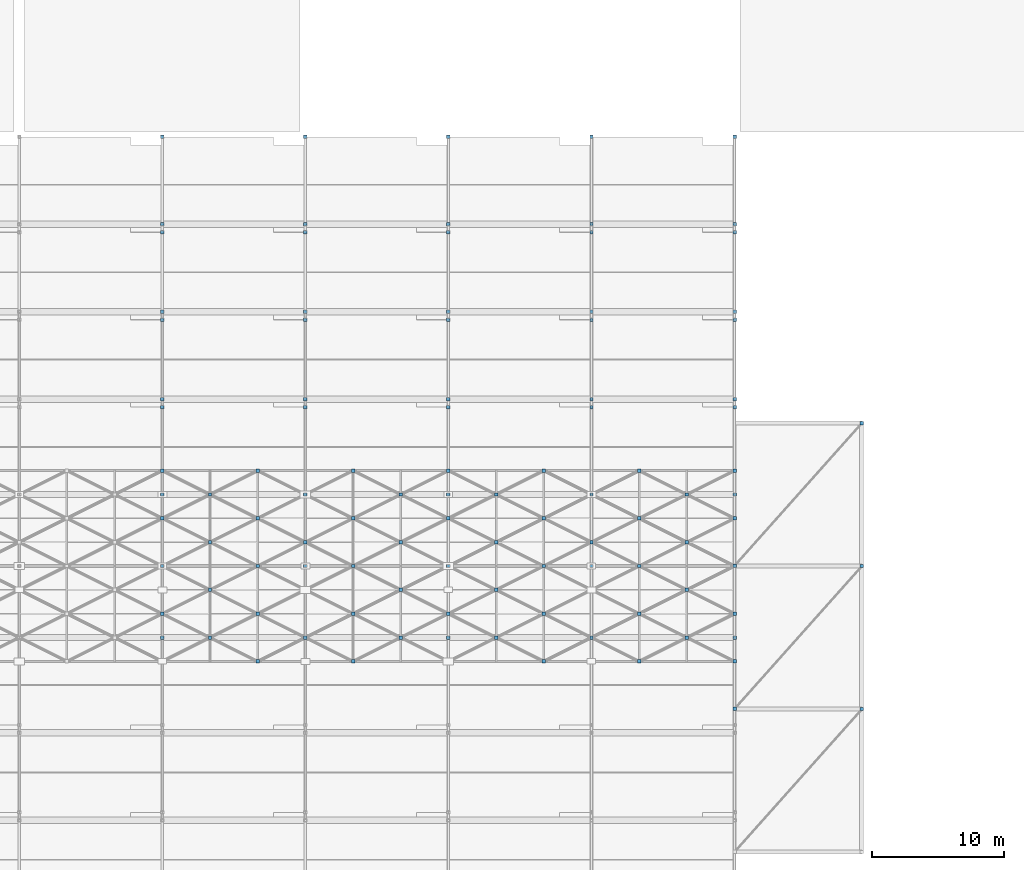
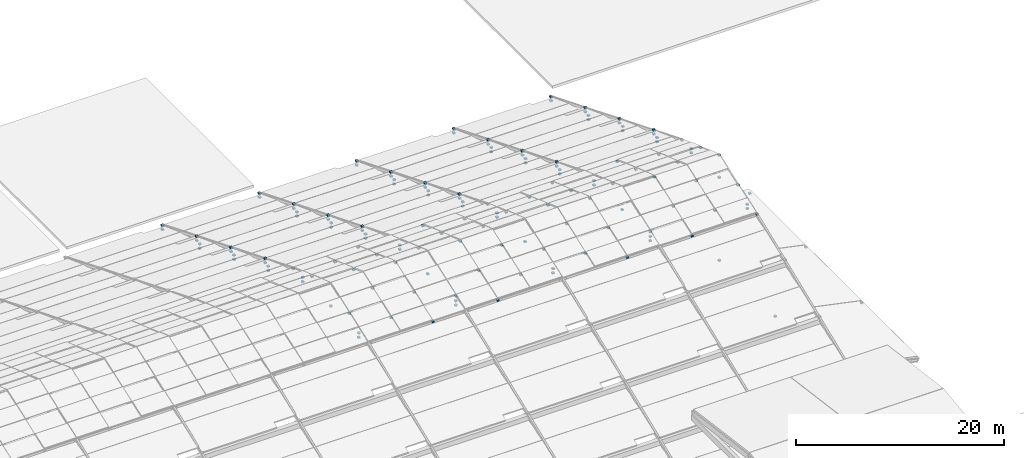
# One storey, part 111 of 112: 151 discrete accessories.
"""IFC4 building model written with IfcOpenShell, lengths in metres."""

import ifcopenshell
import ifcopenshell.guid

model = None  # the IFC model being written
_history = None  # IfcOwnerHistory: only IFC2X3 demands one
_inside = {}  # id of a spatial element -> (the spatial element, [elements in it])
_under = {}  # id of a project, library or spatial element -> (it, [spatial elements below it])
_declared = {}  # id of a project -> (the project, [libraries it declares])
_typed = {}  # id of a type object -> (the type object, [elements of that type])
_made_of = {}  # id of a material, layer set ... -> (it, [elements and type objects made of it])


def new_model(schema):
    """Start an empty IFC model of exactly this schema.

    Asked for "IFC4X3", IfcOpenShell would pick the latest addendum, in which some entities
    have other attributes; the version numbers below select the first issue.
    IFC2X3 requires an IfcOwnerHistory on every rooted entity: one is made here for all.
    """
    global model, _history
    if schema == "IFC4X3":
        model = ifcopenshell.file(schema_version=(4, 3, 0, 0))
    else:
        model = ifcopenshell.file(schema=schema)
    _inside.clear()
    _under.clear()
    _declared.clear()
    _typed.clear()
    _made_of.clear()
    _history = None
    if model.schema == "IFC2X3":
        org = make("IfcOrganization", Name="unknown")
        user = make(
            "IfcPersonAndOrganization",
            ThePerson=make("IfcPerson", FamilyName="unknown"),
            TheOrganization=org,
        )
        app = make(
            "IfcApplication",
            ApplicationDeveloper=org,
            Version="unknown",
            ApplicationFullName="unknown",
            ApplicationIdentifier="unknown",
        )
        _history = make(
            "IfcOwnerHistory",
            OwningUser=user,
            OwningApplication=app,
            ChangeAction="ADDED",
            CreationDate=0,
        )
    return model


def make(cls, **values):
    """One entity of the class cls with the attributes given. An attribute that is None is left unset."""
    return model.create_entity(
        cls, **{name: value for name, value in values.items() if value is not None}
    )


def rooted(cls, **values):
    """An entity with a GlobalId (a new one), such as an element, a storey or a relation."""
    return make(cls, GlobalId=ifcopenshell.guid.new(), OwnerHistory=_history, **values)


def si_unit(unit_type, name, prefix=None):
    """IfcSIUnit, for example si_unit("LENGTHUNIT", "METRE", prefix="MILLI")."""
    return make("IfcSIUnit", UnitType=unit_type, Prefix=prefix, Name=name)


def assignment(units):
    """IfcUnitAssignment: the units of a project."""
    return None if units is None else make("IfcUnitAssignment", Units=units)


def point(xyz):
    """IfcCartesianPoint."""
    return None if xyz is None else make("IfcCartesianPoint", Coordinates=xyz)


def direction(xyz):
    """IfcDirection."""
    return None if xyz is None else make("IfcDirection", DirectionRatios=xyz)


def frame(location, z_axis=None, x_axis=None):
    """IfcAxis2Placement3D, a coordinate frame: its origin and axes. An axis left out is left unset."""
    return make(
        "IfcAxis2Placement3D",
        Location=point(location),
        Axis=direction(z_axis),
        RefDirection=direction(x_axis),
    )


def frame_2d(location, x_axis=None):
    """IfcAxis2Placement2D, a coordinate frame in the plane: its origin and x axis."""
    return make(
        "IfcAxis2Placement2D", Location=point(location), RefDirection=direction(x_axis)
    )


def origin():
    """The frame at (0, 0, 0) with its axes left unset."""
    return frame((0.0, 0.0, 0.0))


def origin_2d():
    """The frame at (0, 0) in the plane with its x axis left unset."""
    return frame_2d((0.0, 0.0))


def place(relative_to, where):
    """IfcLocalPlacement: puts the frame where relative to a parent placement (None: the world)."""
    return make(
        "IfcLocalPlacement", PlacementRelTo=relative_to, RelativePlacement=where
    )


def context(
    kind, dimensions, precision=None, world=None, true_north=None, identifier=None
):
    """IfcGeometricRepresentationContext, for example the 3D "Model" context."""
    return make(
        "IfcGeometricRepresentationContext",
        ContextIdentifier=identifier,
        ContextType=kind,
        CoordinateSpaceDimension=dimensions,
        Precision=precision,
        WorldCoordinateSystem=world,
        TrueNorth=true_north,
    )


def subcontext(parent, identifier, kind, view, scale=None):
    """IfcGeometricRepresentationSubContext, for example "Body" below "Model"."""
    return make(
        "IfcGeometricRepresentationSubContext",
        ContextIdentifier=identifier,
        ContextType=kind,
        ParentContext=parent,
        TargetScale=scale,
        TargetView=view,
    )


def project(units=None, contexts=None):
    """IfcProject with its units and contexts."""
    return rooted(
        "IfcProject",
        Name="project",
        RepresentationContexts=contexts,
        UnitsInContext=assignment(units),
    )


def spatial(cls, under=None, at=None, **own):
    """A site, building, storey or space (cls), placed at a placement, below another one or the project."""
    s = rooted(cls, ObjectPlacement=at, **own)
    if under is not None:
        _under.setdefault(under.id(), (under, []))[1].append(s)
    return s


def profile(cls, at=None, kind="AREA", **sizes):
    """A parametric profile (cls). Its sizes go by their IFC names, for example OverallWidth=200.0."""
    return make(cls, ProfileType=kind, Position=at, **sizes)


def rectangle(**sizes):
    """IfcRectangleProfileDef."""
    return profile("IfcRectangleProfileDef", **sizes)


def extrude(swept, where, along, depth):
    """IfcExtrudedAreaSolid: the profile swept, set in the frame where, extruded along a direction by depth."""
    return make(
        "IfcExtrudedAreaSolid",
        SweptArea=swept,
        Position=where,
        ExtrudedDirection=direction(along),
        Depth=depth,
    )


def shape(context_of_items, identifier, shape_type, items):
    """IfcShapeRepresentation: the items that make up one representation, for example the "Body"."""
    return make(
        "IfcShapeRepresentation",
        ContextOfItems=context_of_items,
        RepresentationIdentifier=identifier,
        RepresentationType=shape_type,
        Items=items,
    )


def material(Name=None, Category=None):
    """IfcMaterial."""
    return make("IfcMaterial", Name=Name, Category=Category)


def made_of(thing, what):
    """Note that an element or type object is made of a material, layer set ...; save() writes the relation."""
    if what is not None:
        _made_of.setdefault(what.id(), (what, []))[1].append(thing)
    return thing


def type_object(cls, material=None, **own):
    """A type object (cls), such as IfcWallType, which elements share."""
    return made_of(rooted(cls, **own), material)


def element(
    cls,
    number,
    at=None,
    inside=None,
    cuts=None,
    type_object=None,
    material=None,
    context=None,
    identifier="Body",
    shape_type=None,
    held_by="IfcProductDefinitionShape",
    body=None,
    shapes=None,
    **own,
):
    """One element of the class cls, such as IfcWall. Its Tag is "e" and its number.

    at: its placement. inside: the storey or other place that contains it. cuts: it is an
    opening in that element (IfcRelVoidsElement). A single representation is given by context,
    identifier, shape_type and body (its items); several are given by shapes. held_by: the class
    of the entity that holds the representations. save() writes the other relations.
    """
    e = rooted(cls, Tag="e%d" % number, ObjectPlacement=at, **own)
    if body is not None:
        shapes = [shape(context, identifier, shape_type, body)]
    if shapes is not None:
        e.Representation = make(held_by, Representations=shapes)
    if inside is not None:
        _inside.setdefault(inside.id(), (inside, []))[1].append(e)
    if cuts is not None:
        rooted(
            "IfcRelVoidsElement", RelatingBuildingElement=cuts, RelatedOpeningElement=e
        )
    if type_object is not None:
        _typed.setdefault(type_object.id(), (type_object, []))[1].append(e)
    return made_of(e, material)


def aggregate(whole, parts):
    """IfcRelAggregates: a whole, such as a stair, and the parts it consists of."""
    return rooted("IfcRelAggregates", RelatingObject=whole, RelatedObjects=parts)


def save(model, path):
    """Write the relations noted so far, then the file.

    IfcRelAggregates (storeys below a building ...), IfcRelContainedInSpatialStructure (elements
    in a storey), IfcRelDefinesByType, IfcRelAssociatesMaterial and IfcRelDeclares: one each for
    every whole, place, type object, material and project.
    """
    for whole, parts in _under.values():
        aggregate(whole, parts)
    for where, things in _inside.values():
        rooted(
            "IfcRelContainedInSpatialStructure",
            RelatedElements=things,
            RelatingStructure=where,
        )
    for kind, things in _typed.values():
        rooted("IfcRelDefinesByType", RelatedObjects=things, RelatingType=kind)
    for what, things in _made_of.values():
        rooted("IfcRelAssociatesMaterial", RelatedObjects=things, RelatingMaterial=what)
    for by, libraries in _declared.values():
        rooted("IfcRelDeclares", RelatingContext=by, RelatedDefinitions=libraries)
    model.write(path)


model = new_model("IFC4")

# Units and contexts
model_context = context("Model", 3, precision=1e-05, world=origin(), true_north=direction((0.0, 1.0)))
body_context = subcontext(model_context, "Body", "Model", "MODEL_VIEW")
ifc_project = project(units=[si_unit("LENGTHUNIT", "METRE"), si_unit("AREAUNIT", "SQUARE_METRE"), si_unit("VOLUMEUNIT", "CUBIC_METRE"), si_unit("PLANEANGLEUNIT", "RADIAN"), si_unit("MASSUNIT", "GRAM", prefix="KILO")], contexts=[model_context])

# Site, building, storey
site_placement = place(None, origin())
site = spatial("IfcSite", under=ifc_project, at=site_placement, CompositionType="ELEMENT")
building_placement = place(site_placement, origin())
building = spatial("IfcBuilding", under=site, at=building_placement, Name="Zwinboog Wholesale Market", CompositionType="ELEMENT")
storey_placement = place(building_placement, frame((0.0, 0.0, 19.080078125)))
storey = spatial("IfcBuildingStorey", under=building, at=storey_placement, Name="Roof", CompositionType="ELEMENT", Elevation=19.080078125)

# Discrete accessories
ifc_material = material(Name="Steel S355", Category="steel")
discrete_accessory_type = type_object("IfcDiscreteAccessoryType", Name="ACC-BRK-S355", PredefinedType="BRACKET", material=ifc_material)
for number, where, z_axis, x_axis, name in (
    (1, (182.39990234375, 64.800048828125, -11.02001953125), (0.0, 0.0, 1.0), (1.0, 0.0, 0.0), "BK-01 (ACC-BRK-002)"),
    (2, (182.39990234375, 75.60009765625, -11.02001953125), (0.0, 0.0, 1.0), (1.0, 0.0, 0.0), "BK-01 (ACC-BRK-003)"),
):
    element("IfcDiscreteAccessory", number, at=place(storey_placement, frame(where, z_axis=z_axis, x_axis=x_axis)), inside=storey, type_object=discrete_accessory_type, Name=name, PredefinedType="BRACKET", context=body_context, shape_type="SweptSolid", body=[
        extrude(rectangle(XDim=0.239990234375, YDim=0.239990234375, at=origin_2d()), origin(), (0.0, 0.0, 1.0), 0.179931640625),
    ])
for number, where, z_axis, x_axis, name in (
    (3, (129.60009765625, 70.199951171875, 0.14013671875), (0.0, 0.0, 1.0), (1.0, 0.0, 0.0), "BK-01 (ACC-BRC-0213)"),
    (4, (129.60009765625, 70.199951171875, 0.64013671875), (0.0, 0.0, 1.0), (1.0, 0.0, 0.0), "BK-01 (ACC-BRC-0214)"),
    (5, (129.60009765625, 108.0, -10.10986328125), (0.0, 0.0, 1.0), (1.0, 0.0, 0.0), "BK-01 (ACC-BRC-0215)"),
    (6, (129.60009765625, 108.0, -9.60986328125), (0.0, 0.0, 1.0), (1.0, 0.0, 0.0), "BK-01 (ACC-BRC-0216)"),
    (7, (129.60009765625, 100.800048828125, -7.9599609375), (0.0, 0.0, 1.0), (1.0, 0.0, 0.0), "BK-01 (ACC-BRC-0217)"),
    (8, (129.60009765625, 100.800048828125, -7.4599609375), (0.0, 0.0, 1.0), (1.0, 0.0, 0.0), "BK-01 (ACC-BRC-0218)"),
    (9, (129.60009765625, 101.39990234375, -7.41015625), (0.0, 0.0, 1.0), (1.0, 0.0, 0.0), "BK-01 (ACC-BRC-0219)"),
    (10, (129.60009765625, 101.39990234375, -6.91015625), (0.0, 0.0, 1.0), (1.0, 0.0, 0.0), "BK-01 (ACC-BRC-0220)"),
    (11, (129.60009765625, 94.199951171875, -5.26025390625), (0.0, 0.0, 1.0), (1.0, 0.0, 0.0), "BK-01 (ACC-BRC-0221)"),
    (12, (129.60009765625, 94.199951171875, -4.76025390625), (0.0, 0.0, 1.0), (1.0, 0.0, 0.0), "BK-01 (ACC-BRC-0222)"),
    (13, (129.60009765625, 94.800048828125, -4.7099609375), (0.0, 0.0, 1.0), (1.0, 0.0, 0.0), "BK-01 (ACC-BRC-0223)"),
    (14, (129.60009765625, 94.800048828125, -4.2099609375), (0.0, 0.0, 1.0), (1.0, 0.0, 0.0), "BK-01 (ACC-BRC-0224)"),
    (15, (129.60009765625, 87.60009765625, -2.56005859375), (0.0, 0.0, 1.0), (1.0, 0.0, 0.0), "BK-01 (ACC-BRC-0225)"),
    (16, (129.60009765625, 87.60009765625, -2.06005859375), (0.0, 0.0, 1.0), (1.0, 0.0, 0.0), "BK-01 (ACC-BRC-0226)"),
    (17, (129.60009765625, 88.199951171875, -2.01025390625), (0.0, 0.0, 1.0), (1.0, 0.0, 0.0), "BK-01 (ACC-BRC-0227)"),
    (18, (129.60009765625, 88.199951171875, -1.51025390625), (0.0, 0.0, 1.0), (1.0, 0.0, 0.0), "BK-01 (ACC-BRC-0228)"),
    (19, (129.60009765625, 81.0, 0.14013671875), (0.0, 0.0, 1.0), (1.0, 0.0, 0.0), "BK-01 (ACC-BRC-0229)"),
    (20, (129.60009765625, 81.0, 0.64013671875), (0.0, 0.0, 1.0), (1.0, 0.0, 0.0), "BK-01 (ACC-BRC-0230)"),
    (21, (129.60009765625, 75.60009765625, 0.5400390625), (0.0, 0.0, 1.0), (1.0, 0.0, 0.0), "BK-01 (ACC-BRC-0231)"),
    (22, (140.39990234375, 70.199951171875, 0.14013671875), (0.0, 0.0, 1.0), (1.0, 0.0, 0.0), "BK-01 (ACC-BRC-0246)"),
    (23, (140.39990234375, 70.199951171875, 0.64013671875), (0.0, 0.0, 1.0), (1.0, 0.0, 0.0), "BK-01 (ACC-BRC-0247)"),
    (24, (140.39990234375, 108.0, -10.10986328125), (0.0, 0.0, 1.0), (1.0, 0.0, 0.0), "BK-01 (ACC-BRC-0248)"),
    (25, (140.39990234375, 108.0, -9.60986328125), (0.0, 0.0, 1.0), (1.0, 0.0, 0.0), "BK-01 (ACC-BRC-0249)"),
    (26, (140.39990234375, 100.800048828125, -7.9599609375), (0.0, 0.0, 1.0), (1.0, 0.0, 0.0), "BK-01 (ACC-BRC-0250)"),
    (27, (140.39990234375, 100.800048828125, -7.4599609375), (0.0, 0.0, 1.0), (1.0, 0.0, 0.0), "BK-01 (ACC-BRC-0251)"),
    (28, (140.39990234375, 101.39990234375, -7.41015625), (0.0, 0.0, 1.0), (1.0, 0.0, 0.0), "BK-01 (ACC-BRC-0252)"),
    (29, (140.39990234375, 101.39990234375, -6.91015625), (0.0, 0.0, 1.0), (1.0, 0.0, 0.0), "BK-01 (ACC-BRC-0253)"),
    (30, (140.39990234375, 94.199951171875, -5.26025390625), (0.0, 0.0, 1.0), (1.0, 0.0, 0.0), "BK-01 (ACC-BRC-0254)"),
    (31, (140.39990234375, 94.199951171875, -4.76025390625), (0.0, 0.0, 1.0), (1.0, 0.0, 0.0), "BK-01 (ACC-BRC-0255)"),
    (32, (140.39990234375, 94.800048828125, -4.7099609375), (0.0, 0.0, 1.0), (1.0, 0.0, 0.0), "BK-01 (ACC-BRC-0256)"),
    (33, (140.39990234375, 94.800048828125, -4.2099609375), (0.0, 0.0, 1.0), (1.0, 0.0, 0.0), "BK-01 (ACC-BRC-0257)"),
    (34, (140.39990234375, 87.60009765625, -2.56005859375), (0.0, 0.0, 1.0), (1.0, 0.0, 0.0), "BK-01 (ACC-BRC-0258)"),
    (35, (140.39990234375, 87.60009765625, -2.06005859375), (0.0, 0.0, 1.0), (1.0, 0.0, 0.0), "BK-01 (ACC-BRC-0259)"),
    (36, (140.39990234375, 88.199951171875, -2.01025390625), (0.0, 0.0, 1.0), (1.0, 0.0, 0.0), "BK-01 (ACC-BRC-0260)"),
    (37, (140.39990234375, 88.199951171875, -1.51025390625), (0.0, 0.0, 1.0), (1.0, 0.0, 0.0), "BK-01 (ACC-BRC-0261)"),
    (38, (140.39990234375, 81.0, 0.14013671875), (0.0, 0.0, 1.0), (1.0, 0.0, 0.0), "BK-01 (ACC-BRC-0262)"),
    (39, (140.39990234375, 81.0, 0.64013671875), (0.0, 0.0, 1.0), (1.0, 0.0, 0.0), "BK-01 (ACC-BRC-0263)"),
    (40, (140.39990234375, 75.60009765625, 0.5400390625), (0.0, 0.0, 1.0), (1.0, 0.0, 0.0), "BK-01 (ACC-BRC-0264)"),
    (41, (151.199951171875, 70.199951171875, 0.14013671875), (0.0, 0.0, 1.0), (1.0, 0.0, 0.0), "BK-01 (ACC-BRC-0279)"),
    (42, (151.199951171875, 70.199951171875, 0.64013671875), (0.0, 0.0, 1.0), (1.0, 0.0, 0.0), "BK-01 (ACC-BRC-0280)"),
    (43, (151.199951171875, 108.0, -10.10986328125), (0.0, 0.0, 1.0), (1.0, 0.0, 0.0), "BK-01 (ACC-BRC-0281)"),
    (44, (151.199951171875, 108.0, -9.60986328125), (0.0, 0.0, 1.0), (1.0, 0.0, 0.0), "BK-01 (ACC-BRC-0282)"),
    (45, (151.199951171875, 100.800048828125, -7.9599609375), (0.0, 0.0, 1.0), (1.0, 0.0, 0.0), "BK-01 (ACC-BRC-0283)"),
    (46, (151.199951171875, 100.800048828125, -7.4599609375), (0.0, 0.0, 1.0), (1.0, 0.0, 0.0), "BK-01 (ACC-BRC-0284)"),
    (47, (151.199951171875, 101.39990234375, -7.41015625), (0.0, 0.0, 1.0), (1.0, 0.0, 0.0), "BK-01 (ACC-BRC-0285)"),
    (48, (151.199951171875, 101.39990234375, -6.91015625), (0.0, 0.0, 1.0), (1.0, 0.0, 0.0), "BK-01 (ACC-BRC-0286)"),
    (49, (151.199951171875, 94.199951171875, -5.26025390625), (0.0, 0.0, 1.0), (1.0, 0.0, 0.0), "BK-01 (ACC-BRC-0287)"),
    (50, (151.199951171875, 94.199951171875, -4.76025390625), (0.0, 0.0, 1.0), (1.0, 0.0, 0.0), "BK-01 (ACC-BRC-0288)"),
    (51, (151.199951171875, 94.800048828125, -4.7099609375), (0.0, 0.0, 1.0), (1.0, 0.0, 0.0), "BK-01 (ACC-BRC-0289)"),
    (52, (151.199951171875, 94.800048828125, -4.2099609375), (0.0, 0.0, 1.0), (1.0, 0.0, 0.0), "BK-01 (ACC-BRC-0290)"),
    (53, (151.199951171875, 87.60009765625, -2.56005859375), (0.0, 0.0, 1.0), (1.0, 0.0, 0.0), "BK-01 (ACC-BRC-0291)"),
    (54, (151.199951171875, 87.60009765625, -2.06005859375), (0.0, 0.0, 1.0), (1.0, 0.0, 0.0), "BK-01 (ACC-BRC-0292)"),
    (55, (151.199951171875, 88.199951171875, -2.01025390625), (0.0, 0.0, 1.0), (1.0, 0.0, 0.0), "BK-01 (ACC-BRC-0293)"),
    (56, (151.199951171875, 88.199951171875, -1.51025390625), (0.0, 0.0, 1.0), (1.0, 0.0, 0.0), "BK-01 (ACC-BRC-0294)"),
    (57, (151.199951171875, 81.0, 0.14013671875), (0.0, 0.0, 1.0), (1.0, 0.0, 0.0), "BK-01 (ACC-BRC-0295)"),
    (58, (151.199951171875, 81.0, 0.64013671875), (0.0, 0.0, 1.0), (1.0, 0.0, 0.0), "BK-01 (ACC-BRC-0296)"),
    (59, (151.199951171875, 75.60009765625, 0.5400390625), (0.0, 0.0, 1.0), (1.0, 0.0, 0.0), "BK-01 (ACC-BRC-0297)"),
    (60, (162.0, 70.199951171875, 0.14013671875), (0.0, 0.0, 1.0), (1.0, 0.0, 0.0), "BK-01 (ACC-BRC-0312)"),
    (61, (162.0, 70.199951171875, 0.64013671875), (0.0, 0.0, 1.0), (1.0, 0.0, 0.0), "BK-01 (ACC-BRC-0313)"),
    (62, (162.0, 108.0, -10.10986328125), (0.0, 0.0, 1.0), (1.0, 0.0, 0.0), "BK-01 (ACC-BRC-0314)"),
    (63, (162.0, 108.0, -9.60986328125), (0.0, 0.0, 1.0), (1.0, 0.0, 0.0), "BK-01 (ACC-BRC-0315)"),
    (64, (162.0, 100.800048828125, -7.9599609375), (0.0, 0.0, 1.0), (1.0, 0.0, 0.0), "BK-01 (ACC-BRC-0316)"),
    (65, (162.0, 100.800048828125, -7.4599609375), (0.0, 0.0, 1.0), (1.0, 0.0, 0.0), "BK-01 (ACC-BRC-0317)"),
    (66, (162.0, 101.39990234375, -7.41015625), (0.0, 0.0, 1.0), (1.0, 0.0, 0.0), "BK-01 (ACC-BRC-0318)"),
    (67, (162.0, 101.39990234375, -6.91015625), (0.0, 0.0, 1.0), (1.0, 0.0, 0.0), "BK-01 (ACC-BRC-0319)"),
    (68, (162.0, 94.199951171875, -5.26025390625), (0.0, 0.0, 1.0), (1.0, 0.0, 0.0), "BK-01 (ACC-BRC-0320)"),
    (69, (162.0, 94.199951171875, -4.76025390625), (0.0, 0.0, 1.0), (1.0, 0.0, 0.0), "BK-01 (ACC-BRC-0321)"),
    (70, (162.0, 94.800048828125, -4.7099609375), (0.0, 0.0, 1.0), (1.0, 0.0, 0.0), "BK-01 (ACC-BRC-0322)"),
    (71, (162.0, 94.800048828125, -4.2099609375), (0.0, 0.0, 1.0), (1.0, 0.0, 0.0), "BK-01 (ACC-BRC-0323)"),
    (72, (162.0, 87.60009765625, -2.56005859375), (0.0, 0.0, 1.0), (1.0, 0.0, 0.0), "BK-01 (ACC-BRC-0324)"),
    (73, (162.0, 87.60009765625, -2.06005859375), (0.0, 0.0, 1.0), (1.0, 0.0, 0.0), "BK-01 (ACC-BRC-0325)"),
    (74, (162.0, 88.199951171875, -2.01025390625), (0.0, 0.0, 1.0), (1.0, 0.0, 0.0), "BK-01 (ACC-BRC-0326)"),
    (75, (162.0, 88.199951171875, -1.51025390625), (0.0, 0.0, 1.0), (1.0, 0.0, 0.0), "BK-01 (ACC-BRC-0327)"),
    (76, (162.0, 81.0, 0.14013671875), (0.0, 0.0, 1.0), (1.0, 0.0, 0.0), "BK-01 (ACC-BRC-0328)"),
    (77, (162.0, 81.0, 0.64013671875), (0.0, 0.0, 1.0), (1.0, 0.0, 0.0), "BK-01 (ACC-BRC-0329)"),
    (78, (162.0, 75.60009765625, 0.5400390625), (0.0, 0.0, 1.0), (1.0, 0.0, 0.0), "BK-01 (ACC-BRC-0330)"),
    (79, (172.800048828125, 70.199951171875, 0.14013671875), (0.0, 0.0, 1.0), (1.0, 0.0, 0.0), "BK-01 (ACC-BRC-0345)"),
    (80, (172.800048828125, 70.199951171875, 0.64013671875), (0.0, 0.0, 1.0), (1.0, 0.0, 0.0), "BK-01 (ACC-BRC-0346)"),
    (81, (172.800048828125, 108.0, -10.10986328125), (0.0, 0.0, 1.0), (1.0, 0.0, 0.0), "BK-01 (ACC-BRC-0347)"),
    (82, (172.800048828125, 108.0, -9.60986328125), (0.0, 0.0, 1.0), (1.0, 0.0, 0.0), "BK-01 (ACC-BRC-0348)"),
    (83, (172.800048828125, 100.800048828125, -7.9599609375), (0.0, 0.0, 1.0), (1.0, 0.0, 0.0), "BK-01 (ACC-BRC-0349)"),
    (84, (172.800048828125, 100.800048828125, -7.4599609375), (0.0, 0.0, 1.0), (1.0, 0.0, 0.0), "BK-01 (ACC-BRC-0350)"),
    (85, (172.800048828125, 101.39990234375, -7.41015625), (0.0, 0.0, 1.0), (1.0, 0.0, 0.0), "BK-01 (ACC-BRC-0351)"),
    (86, (172.800048828125, 101.39990234375, -6.91015625), (0.0, 0.0, 1.0), (1.0, 0.0, 0.0), "BK-01 (ACC-BRC-0352)"),
    (87, (172.800048828125, 94.199951171875, -5.26025390625), (0.0, 0.0, 1.0), (1.0, 0.0, 0.0), "BK-01 (ACC-BRC-0353)"),
    (88, (172.800048828125, 94.199951171875, -4.76025390625), (0.0, 0.0, 1.0), (1.0, 0.0, 0.0), "BK-01 (ACC-BRC-0354)"),
    (89, (172.800048828125, 94.800048828125, -4.7099609375), (0.0, 0.0, 1.0), (1.0, 0.0, 0.0), "BK-01 (ACC-BRC-0355)"),
    (90, (172.800048828125, 94.800048828125, -4.2099609375), (0.0, 0.0, 1.0), (1.0, 0.0, 0.0), "BK-01 (ACC-BRC-0356)"),
    (91, (172.800048828125, 87.60009765625, -2.56005859375), (0.0, 0.0, 1.0), (1.0, 0.0, 0.0), "BK-01 (ACC-BRC-0357)"),
    (92, (172.800048828125, 87.60009765625, -2.06005859375), (0.0, 0.0, 1.0), (1.0, 0.0, 0.0), "BK-01 (ACC-BRC-0358)"),
    (93, (172.800048828125, 88.199951171875, -2.01025390625), (0.0, 0.0, 1.0), (1.0, 0.0, 0.0), "BK-01 (ACC-BRC-0359)"),
    (94, (172.800048828125, 88.199951171875, -1.51025390625), (0.0, 0.0, 1.0), (1.0, 0.0, 0.0), "BK-01 (ACC-BRC-0360)"),
    (95, (172.800048828125, 81.0, 0.14013671875), (0.0, 0.0, 1.0), (1.0, 0.0, 0.0), "BK-01 (ACC-BRC-0361)"),
    (96, (172.800048828125, 81.0, 0.64013671875), (0.0, 0.0, 1.0), (1.0, 0.0, 0.0), "BK-01 (ACC-BRC-0362)"),
    (97, (172.800048828125, 75.60009765625, 0.5400390625), (0.0, 0.0, 1.0), (1.0, 0.0, 0.0), "BK-01 (ACC-BRC-0363)"),
    (98, (172.800048828125, 75.60009765625, 3.14013671875), (0.0, 0.0, 1.0), (1.0, 0.0, 0.0), "BK-01 (ACC-BRC-0364)"),
    (99, (129.60009765625, 72.0, 1.8251953125), (0.0, 0.0, 1.0), (1.0, 0.0, 0.0), "BK-01 (ACC-BRC-0434)"),
    (100, (129.60009765625, 79.199951171875, 1.8251953125), (0.0, 0.0, 1.0), (1.0, 0.0, 0.0), "BK-01 (ACC-BRC-0435)"),
    (101, (129.60009765625, 82.800048828125, 0.5498046875), (0.0, 0.0, 1.0), (1.0, 0.0, 0.0), "BK-01 (ACC-BRC-0436)"),
    (102, (133.199951171875, 70.199951171875, 1.1875), (0.0, 0.0, 1.0), (1.0, 0.0, 0.0), "BK-01 (ACC-BRC-0437)"),
    (103, (133.199951171875, 73.800048828125, 2.46240234375), (0.0, 0.0, 1.0), (1.0, 0.0, 0.0), "BK-01 (ACC-BRC-0438)"),
    (104, (133.199951171875, 77.39990234375, 2.46240234375), (0.0, 0.0, 1.0), (1.0, 0.0, 0.0), "BK-01 (ACC-BRC-0439)"),
    (105, (133.199951171875, 81.0, 1.1875), (0.0, 0.0, 1.0), (1.0, 0.0, 0.0), "BK-01 (ACC-BRC-0440)"),
    (106, (136.800048828125, 68.39990234375, 0.5498046875), (0.0, 0.0, 1.0), (1.0, 0.0, 0.0), "BK-01 (ACC-BRC-0441)"),
    (107, (136.800048828125, 72.0, 1.8251953125), (0.0, 0.0, 1.0), (1.0, 0.0, 0.0), "BK-01 (ACC-BRC-0442)"),
    (108, (136.800048828125, 75.60009765625, 3.10009765625), (0.0, 0.0, 1.0), (1.0, 0.0, 0.0), "BK-01 (ACC-BRC-0443)"),
    (109, (136.800048828125, 79.199951171875, 1.8251953125), (0.0, 0.0, 1.0), (1.0, 0.0, 0.0), "BK-01 (ACC-BRC-0444)"),
    (110, (136.800048828125, 82.800048828125, 0.5498046875), (0.0, 0.0, 1.0), (1.0, 0.0, 0.0), "BK-01 (ACC-BRC-0445)"),
    (111, (140.39990234375, 70.199951171875, 1.1875), (0.0, 0.0, 1.0), (1.0, 0.0, 0.0), "BK-01 (ACC-BRC-0446)"),
    (112, (140.39990234375, 77.39990234375, 2.46240234375), (0.0, 0.0, 1.0), (1.0, 0.0, 0.0), "BK-01 (ACC-BRC-0447)"),
    (113, (144.0, 68.39990234375, 0.5498046875), (0.0, 0.0, 1.0), (1.0, 0.0, 0.0), "BK-01 (ACC-BRC-0448)"),
    (114, (144.0, 72.0, 1.8251953125), (0.0, 0.0, 1.0), (1.0, 0.0, 0.0), "BK-01 (ACC-BRC-0449)"),
    (115, (144.0, 75.60009765625, 3.10009765625), (0.0, 0.0, 1.0), (1.0, 0.0, 0.0), "BK-01 (ACC-BRC-0450)"),
    (116, (144.0, 79.199951171875, 1.8251953125), (0.0, 0.0, 1.0), (1.0, 0.0, 0.0), "BK-01 (ACC-BRC-0451)"),
    (117, (144.0, 82.800048828125, 0.5498046875), (0.0, 0.0, 1.0), (1.0, 0.0, 0.0), "BK-01 (ACC-BRC-0452)"),
    (118, (147.60009765625, 70.199951171875, 1.1875), (0.0, 0.0, 1.0), (1.0, 0.0, 0.0), "BK-01 (ACC-BRC-0453)"),
    (119, (147.60009765625, 73.800048828125, 2.46240234375), (0.0, 0.0, 1.0), (1.0, 0.0, 0.0), "BK-01 (ACC-BRC-0454)"),
    (120, (147.60009765625, 77.39990234375, 2.46240234375), (0.0, 0.0, 1.0), (1.0, 0.0, 0.0), "BK-01 (ACC-BRC-0455)"),
    (121, (147.60009765625, 81.0, 1.1875), (0.0, 0.0, 1.0), (1.0, 0.0, 0.0), "BK-01 (ACC-BRC-0456)"),
    (122, (151.199951171875, 72.0, 1.8251953125), (0.0, 0.0, 1.0), (1.0, 0.0, 0.0), "BK-01 (ACC-BRC-0457)"),
    (123, (151.199951171875, 79.199951171875, 1.8251953125), (0.0, 0.0, 1.0), (1.0, 0.0, 0.0), "BK-01 (ACC-BRC-0458)"),
    (124, (151.199951171875, 82.800048828125, 0.5498046875), (0.0, 0.0, 1.0), (1.0, 0.0, 0.0), "BK-01 (ACC-BRC-0459)"),
    (125, (154.800048828125, 70.199951171875, 1.1875), (0.0, 0.0, 1.0), (1.0, 0.0, 0.0), "BK-01 (ACC-BRC-0460)"),
    (126, (154.800048828125, 73.800048828125, 2.46240234375), (0.0, 0.0, 1.0), (1.0, 0.0, 0.0), "BK-01 (ACC-BRC-0461)"),
    (127, (154.800048828125, 77.39990234375, 2.46240234375), (0.0, 0.0, 1.0), (1.0, 0.0, 0.0), "BK-01 (ACC-BRC-0462)"),
    (128, (154.800048828125, 81.0, 1.1875), (0.0, 0.0, 1.0), (1.0, 0.0, 0.0), "BK-01 (ACC-BRC-0463)"),
    (129, (158.39990234375, 68.39990234375, 0.5498046875), (0.0, 0.0, 1.0), (1.0, 0.0, 0.0), "BK-01 (ACC-BRC-0464)"),
    (130, (158.39990234375, 72.0, 1.8251953125), (0.0, 0.0, 1.0), (1.0, 0.0, 0.0), "BK-01 (ACC-BRC-0465)"),
    (131, (158.39990234375, 75.60009765625, 3.10009765625), (0.0, 0.0, 1.0), (1.0, 0.0, 0.0), "BK-01 (ACC-BRC-0466)"),
    (132, (158.39990234375, 79.199951171875, 1.8251953125), (0.0, 0.0, 1.0), (1.0, 0.0, 0.0), "BK-01 (ACC-BRC-0467)"),
    (133, (158.39990234375, 82.800048828125, 0.5498046875), (0.0, 0.0, 1.0), (1.0, 0.0, 0.0), "BK-01 (ACC-BRC-0468)"),
    (134, (162.0, 70.199951171875, 1.1875), (0.0, 0.0, 1.0), (1.0, 0.0, 0.0), "BK-01 (ACC-BRC-0469)"),
    (135, (162.0, 77.39990234375, 2.46240234375), (0.0, 0.0, 1.0), (1.0, 0.0, 0.0), "BK-01 (ACC-BRC-0470)"),
    (136, (165.60009765625, 68.39990234375, 0.5498046875), (0.0, 0.0, 1.0), (1.0, 0.0, 0.0), "BK-01 (ACC-BRC-0471)"),
    (137, (165.60009765625, 72.0, 1.8251953125), (0.0, 0.0, 1.0), (1.0, 0.0, 0.0), "BK-01 (ACC-BRC-0472)"),
    (138, (165.60009765625, 75.60009765625, 3.10009765625), (0.0, 0.0, 1.0), (1.0, 0.0, 0.0), "BK-01 (ACC-BRC-0473)"),
    (139, (165.60009765625, 79.199951171875, 1.8251953125), (0.0, 0.0, 1.0), (1.0, 0.0, 0.0), "BK-01 (ACC-BRC-0474)"),
    (140, (165.60009765625, 82.800048828125, 0.5498046875), (0.0, 0.0, 1.0), (1.0, 0.0, 0.0), "BK-01 (ACC-BRC-0475)"),
    (141, (169.199951171875, 70.199951171875, 1.1875), (0.0, 0.0, 1.0), (1.0, 0.0, 0.0), "BK-01 (ACC-BRC-0476)"),
    (142, (169.199951171875, 73.800048828125, 2.46240234375), (0.0, 0.0, 1.0), (1.0, 0.0, 0.0), "BK-01 (ACC-BRC-0477)"),
    (143, (169.199951171875, 77.39990234375, 2.46240234375), (0.0, 0.0, 1.0), (1.0, 0.0, 0.0), "BK-01 (ACC-BRC-0478)"),
    (144, (169.199951171875, 81.0, 1.1875), (0.0, 0.0, 1.0), (1.0, 0.0, 0.0), "BK-01 (ACC-BRC-0479)"),
    (145, (172.800048828125, 68.39990234375, 0.5498046875), (0.0, 0.0, 1.0), (1.0, 0.0, 0.0), "BK-01 (ACC-BRC-0480)"),
    (146, (172.800048828125, 72.0, 1.8251953125), (0.0, 0.0, 1.0), (1.0, 0.0, 0.0), "BK-01 (ACC-BRC-0481)"),
    (147, (172.800048828125, 79.199951171875, 1.8251953125), (0.0, 0.0, 1.0), (1.0, 0.0, 0.0), "BK-01 (ACC-BRC-0482)"),
    (148, (172.800048828125, 82.800048828125, 0.5498046875), (0.0, 0.0, 1.0), (1.0, 0.0, 0.0), "BK-01 (ACC-BRC-0483)"),
    (149, (172.800048828125, 64.820068359375, -9.240234375), (0.0, 0.0, 1.0), (1.0, 0.0, 0.0), "BK-01 (ACC-BRC-0659)"),
    (150, (172.800048828125, 75.6201171875, -9.240234375), (0.0, 0.0, 1.0), (1.0, 0.0, 0.0), "BK-01 (ACC-BRC-0660)"),
    (151, (182.39990234375, 86.3798828125, -11.240234375), (0.0, 0.0, 1.0), (1.0, 0.0, 0.0), "BK-01 (ACC-BRC-0661)"),
):
    element("IfcDiscreteAccessory", number, at=place(storey_placement, frame(where, z_axis=z_axis, x_axis=x_axis)), inside=storey, type_object=discrete_accessory_type, Name=name, PredefinedType="BRACKET", context=body_context, shape_type="SweptSolid", body=[
        extrude(rectangle(XDim=0.260009765625, YDim=0.260009765625, at=origin_2d()), origin(), (0.0, 0.0, 1.0), 0.159912109375),
    ])

save(model, "model.ifc")
